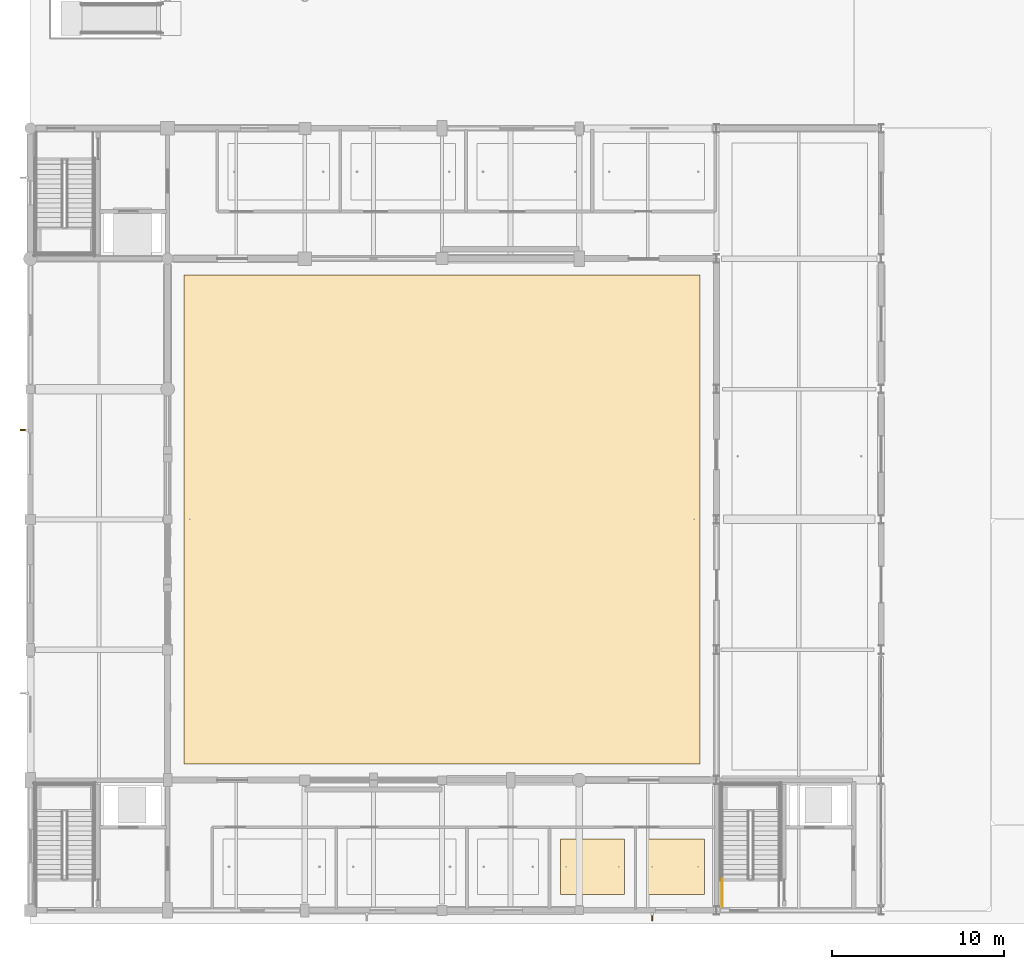
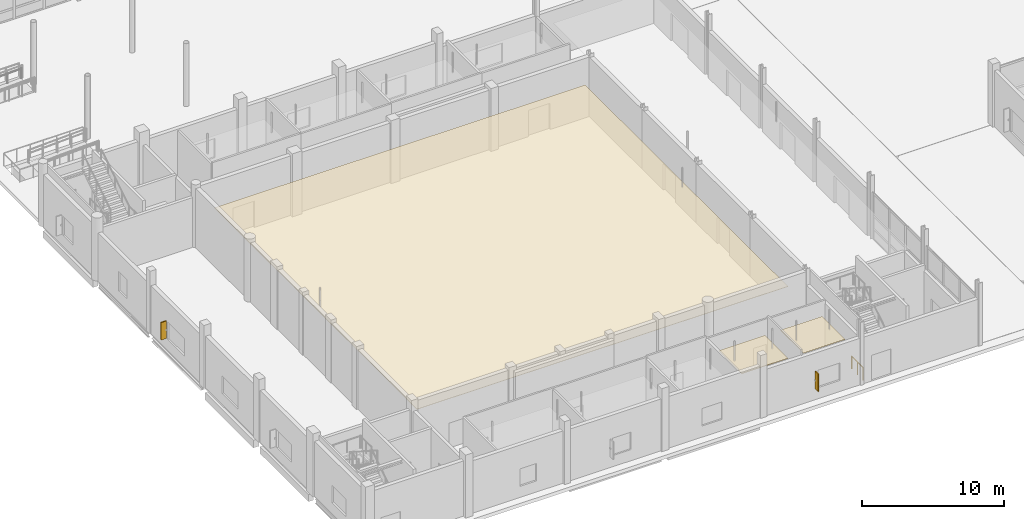
# One storey, part 109 of 126: 3 coverings, 2 shading devices, 1 railing.
"""IFC4 building model written with IfcOpenShell, lengths in metres."""

from ifc_helpers import new_model, si_unit, direction, frame, origin, origin_2d, place, context, subcontext, project, spatial, polyline, rectangle, circle, outline, extrude, material, layer, layer_set, type_object, element, save


model = new_model("IFC4")

# Units and contexts
model_context = context("Model", 3, precision=1e-05, world=origin(), true_north=direction((0.0, 1.0)))
body_context = subcontext(model_context, "Body", "Model", "MODEL_VIEW")
ifc_project = project(units=[si_unit("LENGTHUNIT", "METRE"), si_unit("AREAUNIT", "SQUARE_METRE"), si_unit("VOLUMEUNIT", "CUBIC_METRE"), si_unit("PLANEANGLEUNIT", "RADIAN"), si_unit("MASSUNIT", "GRAM", prefix="KILO")], contexts=[model_context])

# Site, building, storey
site_placement = place(None, origin())
site = spatial("IfcSite", under=ifc_project, at=site_placement, CompositionType="ELEMENT")
building_placement = place(site_placement, origin())
building = spatial("IfcBuilding", under=site, at=building_placement, Name="Khelvaren Railside Concert Hall", CompositionType="ELEMENT")
storey_placement = place(building_placement, origin())
storey = spatial("IfcBuildingStorey", under=building, at=storey_placement, Name="L00", CompositionType="ELEMENT", Elevation=0.0)

# Coverings
ifc_material_1 = material(Name="Mineral-wool acoustic baffle ceiling", Category="gypsum")
ifc_layer_1 = layer(ifc_material_1, 0.0400390625)
ifc_layer_set_1 = layer_set([ifc_layer_1], Name="Mineral-wool acoustic baffle ceiling")
covering_type_1 = type_object("IfcCoveringType", Name="CLG20", PredefinedType="CEILING", material=ifc_layer_set_1)
covering_1_placement = place(storey_placement, frame((0.0, 0.0, 3.409912109375)))
element("IfcCovering", 1, at=covering_1_placement, inside=storey, type_object=covering_type_1, Name="Suspended Acoustic Ceiling Stalls Public Female WC", PredefinedType="CEILING", context=body_context, shape_type="SweptSolid", body=[
    extrude(outline(polyline([(30.89990234375, 0.929931640625), (34.64990234375, 0.929931640625), (34.64990234375, 4.169921875), (30.89990234375, 4.169921875), (30.89990234375, 0.929931640625)])), origin(), (0.0, 0.0, 1.0), 0.0400390625),
])
ifc_material_2 = material(Name="Micro-perforated timber acoustic ceiling", Category="wood")
ifc_layer_2 = layer(ifc_material_2, 0.030029296875)
ifc_layer_set_2 = layer_set([ifc_layer_2], Name="Micro-perforated timber acoustic ceiling")
covering_type_2 = type_object("IfcCoveringType", Name="CLG77", PredefinedType="CEILING", material=ifc_layer_set_2)
covering_2_placement = place(storey_placement, frame((0.0, 0.0, 3.419921875)))
element("IfcCovering", 2, at=covering_2_placement, inside=storey, type_object=covering_type_2, Name="Suspended Acoustic Ceiling Main Concert Hall Stalls and Stage", PredefinedType="CEILING", context=body_context, shape_type="SweptSolid", body=[
    extrude(outline(polyline([(8.949951171875, 8.550048828125), (39.050048828125, 8.550048828125), (39.050048828125, 37.050048828125), (8.949951171875, 37.050048828125), (8.949951171875, 8.550048828125)])), origin(), (0.0, 0.0, 1.0), 0.030029296875),
])
covering_3_placement = place(storey_placement, frame((0.0, 0.0, 3.419921875)))
element("IfcCovering", 3, at=covering_3_placement, inside=storey, type_object=covering_type_2, Name="Suspended Acoustic Ceiling Stalls Accessible WC", PredefinedType="CEILING", context=body_context, shape_type="SweptSolid", body=[
    extrude(outline(polyline([(35.909912109375, 0.929931640625), (39.2900390625, 0.929931640625), (39.2900390625, 4.169921875), (35.909912109375, 4.169921875), (35.909912109375, 0.929931640625)])), origin(), (0.0, 0.0, 1.0), 0.030029296875),
])

# Railing
ifc_material_3 = material(Name="Painted architectural steel", Category="steel")
railing_type = type_object("IfcRailingType", Name="GRD86", PredefinedType="GUARDRAIL", material=ifc_material_3)
railing_placement = place(storey_placement, frame((40.35009765625, 0.239990234375, 0.0)))
element("IfcRailing", 4, at=railing_placement, inside=storey, type_object=railing_type, Name="L00 ST-02 stair guard 9", PredefinedType="GUARDRAIL", context=body_context, shape_type="SweptSolid", body=[
    extrude(circle(Radius=0.02392578125, at=origin_2d()), frame((0.0, 0.0, 1.076171875), z_axis=(0.0, 1.0, 0.0), x_axis=(-1.0, 0.0, 0.0)), (0.0, 0.0, 1.0), 1.60009765625),
    extrude(circle(Radius=0.02099609375, at=origin_2d()), origin(), (0.0, 0.0, 1.0), 1.052001953125),
    extrude(circle(Radius=0.02099609375, at=origin_2d()), frame((0.0, 0.800048828125, 0.0)), (0.0, 0.0, 1.0), 1.052001953125),
    extrude(circle(Radius=0.02099609375, at=origin_2d()), frame((0.0, 1.60009765625, 0.0)), (0.0, 0.0, 1.0), 1.052001953125),
])

# Shading devices
ifc_material_4 = material(Name="Anodised bronze aluminium 6063-T6", Category="aluminium")
shading_device_type = type_object("IfcShadingDeviceType", Name="SFN18", PredefinedType="USERDEFINED", material=ifc_material_4)
for number, where, z_axis, x_axis, name in (
    (5, (36.260009765625, -0.3798828125, 0.949951171875), (0.0, 0.0, 1.0), (-1.0, 0.0, 0.0), "Bronze Solar Shading Fin EW-V1-L00-S-32"),
    (6, (-0.3798828125, 28.0048828125, 0.949951171875), (0.0, 0.0, 1.0), (0.0, 1.0, 0.0), "Bronze Solar Shading Fin EW-V1-L00-W-23"),
):
    element("IfcShadingDevice", number, at=place(storey_placement, frame(where, z_axis=z_axis, x_axis=x_axis)), inside=storey, type_object=shading_device_type, Name=name, ObjectType="SOLAR FIN", PredefinedType="USERDEFINED", context=body_context, shape_type="SweptSolid", body=[
        extrude(rectangle(XDim=0.080078125, YDim=0.449951171875, at=origin_2d()), origin(), (0.0, 0.0, 1.0), 1.5),
    ])

save(model, "model.ifc")
